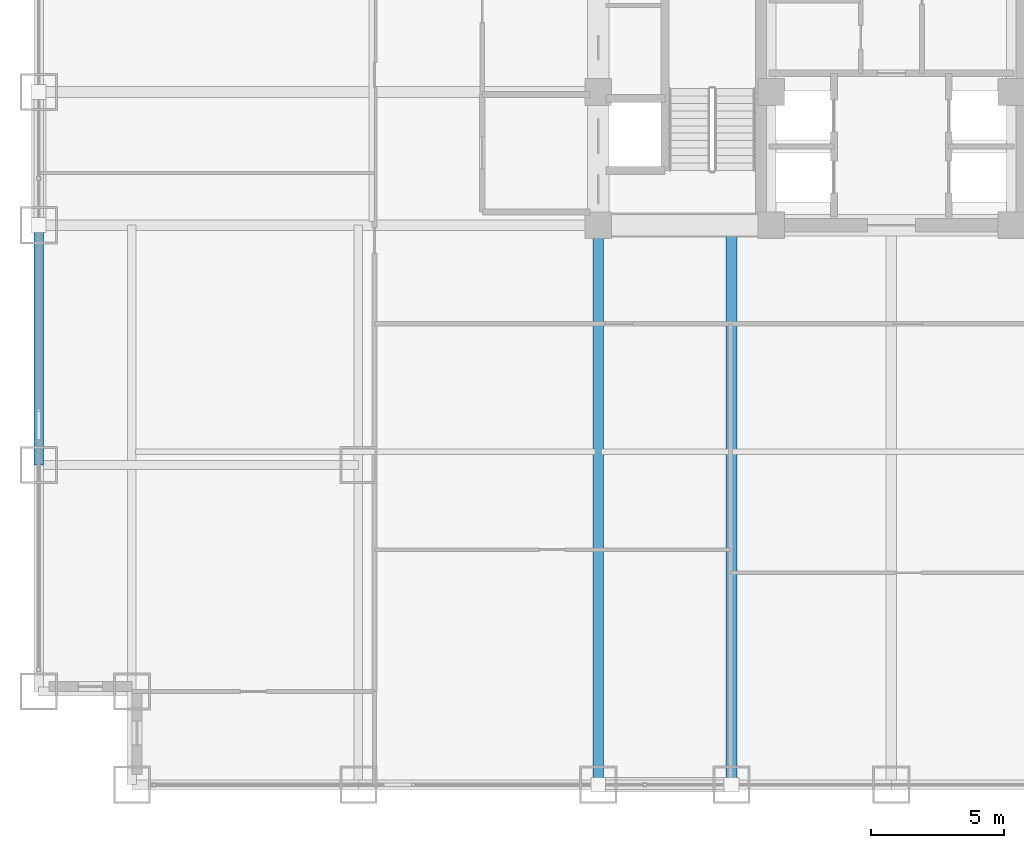
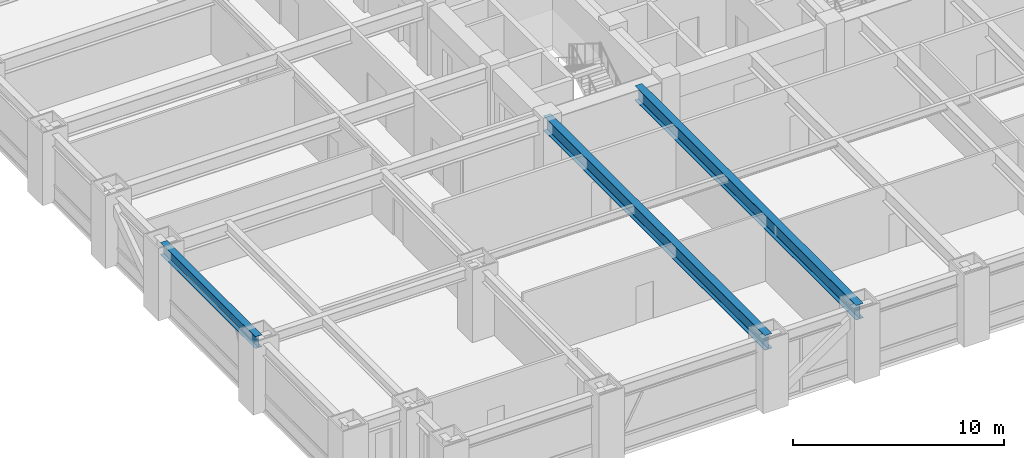
# One storey, part 5 of 28: 3 beams.
"""IFC4 building model written with IfcOpenShell, lengths in metres."""

from ifc_helpers import new_model, si_unit, direction, frame, origin, origin_2d, place, context, subcontext, project, spatial, i_section, extrude, source, transform, mapped, material, material_profile, profile_set, type_object, element, save


model = new_model("IFC4")

# Units and contexts
model_context = context("Model", 3, precision=1e-05, world=origin(), true_north=direction((0.0, 1.0)))
body_context = subcontext(model_context, "Body", "Model", "MODEL_VIEW")
ifc_project = project(units=[si_unit("LENGTHUNIT", "METRE"), si_unit("AREAUNIT", "SQUARE_METRE"), si_unit("VOLUMEUNIT", "CUBIC_METRE"), si_unit("PLANEANGLEUNIT", "RADIAN"), si_unit("MASSUNIT", "GRAM", prefix="KILO")], contexts=[model_context])

# Site, building, storey
site_placement = place(None, origin())
site = spatial("IfcSite", under=ifc_project, at=site_placement, CompositionType="ELEMENT")
building_placement = place(site_placement, origin())
building = spatial("IfcBuilding", under=site, at=building_placement, Name="Khorayat Bourse Tower", CompositionType="ELEMENT")
storey_placement = place(building_placement, frame((0.0, 0.0, 66.199951171875)))
storey = spatial("IfcBuildingStorey", under=building, at=storey_placement, Name="L14", CompositionType="ELEMENT", Elevation=66.199951171875)

# Beams
ifc_material = material(Name="Steel ASTM A992 Grade 50", Category="steel")
ifc_material_profile_1 = material_profile(ifc_material, i_section(OverallWidth=0.35498046875, OverallDepth=0.695068359375, WebThickness=0.015380859375, FlangeThickness=0.02490234375, FilletRadius=0.01806640625, at=origin_2d()), Name="W690X217")
ifc_profile_set_1 = profile_set([ifc_material_profile_1], Name="Steel ASTM A992 Grade 50")
beam_type_1 = type_object("IfcBeamType", Name="BM-SPAN-690", PredefinedType="SPANDREL", material=ifc_profile_set_1)
shared_shape_1 = source(origin(), body_context, "Body", "SweptSolid", [
    extrude(i_section(OverallWidth=0.35498046875, OverallDepth=0.695068359375, WebThickness=0.015380859375, FlangeThickness=0.02490234375, FilletRadius=0.01806640625, at=origin_2d()), origin(), (0.0, 0.0, 1.0), 9.0),
])
beam_placement = place(storey_placement, frame((-32.0, -20.0, 3.592529296875), z_axis=(0.0, 1.0, 0.0), x_axis=(-1.0, 0.0, 0.0)))
element("IfcBeam", 1, at=beam_placement, inside=storey, type_object=beam_type_1, Name="L14 BM-SPAN-690 BM-L14-SPN-060", PredefinedType="SPANDREL", context=body_context, shape_type="MappedRepresentation", body=[
    mapped(shared_shape_1, transform((0.0, 0.0, 0.0), scale=1.0)),
])
ifc_material_profile_2 = material_profile(ifc_material, i_section(OverallWidth=0.39990234375, OverallDepth=0.85498046875, WebThickness=0.018310546875, FlangeThickness=0.029296875, FilletRadius=0.02001953125, at=origin_2d()), Name="W840X299")
ifc_profile_set_2 = profile_set([ifc_material_profile_2], Name="Steel ASTM A992 Grade 50")
beam_type_2 = type_object("IfcBeamType", Name="BM-GIRD-840", PredefinedType="BEAM", material=ifc_profile_set_2)
shared_shape_2 = source(origin(), body_context, "Body", "SweptSolid", [
    extrude(i_section(OverallWidth=0.39990234375, OverallDepth=0.85498046875, WebThickness=0.018310546875, FlangeThickness=0.029296875, FilletRadius=0.02001953125, at=origin_2d()), origin(), (0.0, 0.0, 1.0), 21.0),
])
for number, where, z_axis, x_axis, name in (
    (2, (-11.0, -32.0, 3.512451171875), (0.0, 1.0, 0.0), (-1.0, 0.0, 0.0), "L14 BM-GIRD-840 BM-L14-RADY-065"),
    (3, (-6.0, -32.0, 3.512451171875), (0.0, 1.0, 0.0), (-1.0, 0.0, 0.0), "L14 BM-GIRD-840 BM-L14-RADY-067"),
):
    element("IfcBeam", number, at=place(storey_placement, frame(where, z_axis=z_axis, x_axis=x_axis)), inside=storey, type_object=beam_type_2, Name=name, PredefinedType="BEAM", context=body_context, shape_type="MappedRepresentation", body=[
        mapped(shared_shape_2, transform((0.0, 0.0, 0.0), scale=1.0)),
    ])

save(model, "model.ifc")
